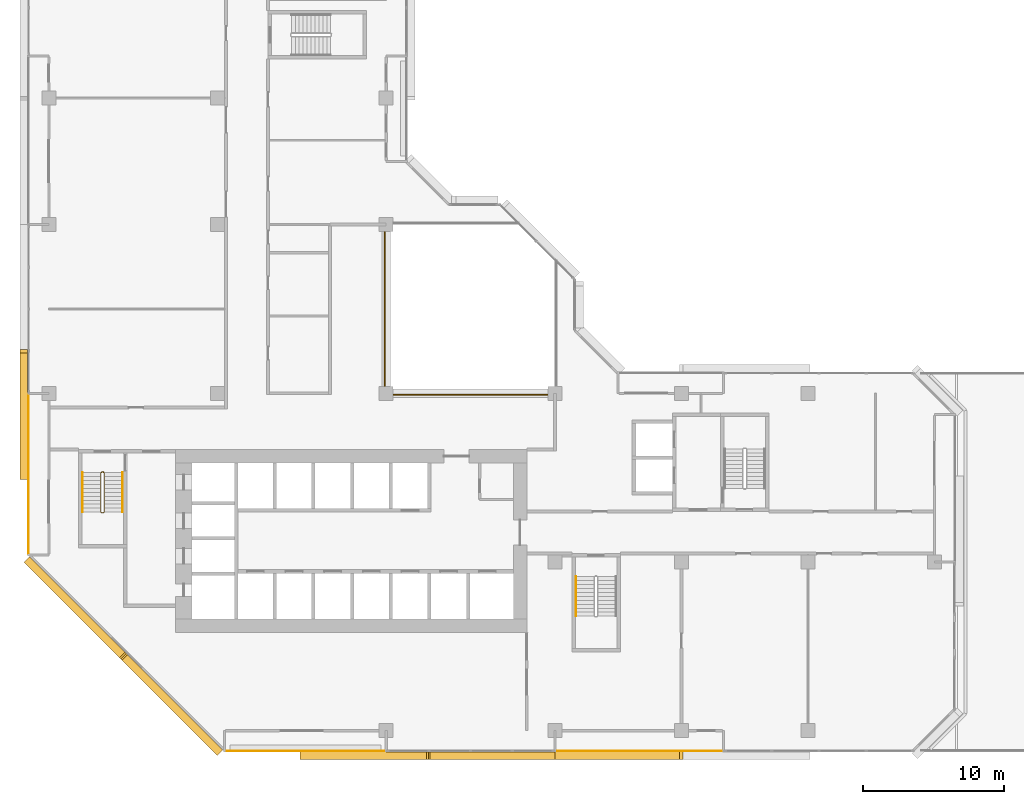
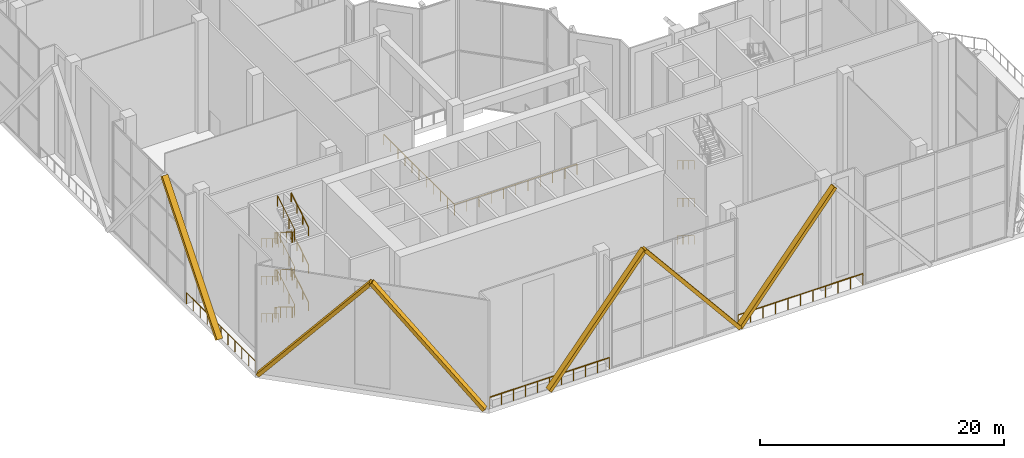
# One storey, part 18 of 21: 14 railings, 6 coverings.
"""IFC4 building model written with IfcOpenShell, lengths in metres."""

from ifc_helpers import new_model, si_unit, direction, frame, origin, origin_2d, place, context, subcontext, project, spatial, rectangle, extrude, material, material_profile, profile_set, type_object, element, save


model = new_model("IFC4")

# Units and contexts
model_context = context("Model", 3, precision=1e-05, world=origin(), true_north=direction((0.0, 1.0)))
body_context = subcontext(model_context, "Body", "Model", "MODEL_VIEW")
ifc_project = project(units=[si_unit("LENGTHUNIT", "METRE"), si_unit("AREAUNIT", "SQUARE_METRE"), si_unit("VOLUMEUNIT", "CUBIC_METRE"), si_unit("PLANEANGLEUNIT", "RADIAN"), si_unit("MASSUNIT", "GRAM", prefix="KILO")], contexts=[model_context])

# Site, building, storey
site_placement = place(None, origin())
site = spatial("IfcSite", under=ifc_project, at=site_placement, CompositionType="ELEMENT")
building_placement = place(site_placement, origin())
building = spatial("IfcBuilding", under=site, at=building_placement, Name="Chenar Terraces", CompositionType="ELEMENT")
storey_placement = place(building_placement, frame((0.0, 0.0, 146.14990234375)))
storey = spatial("IfcBuildingStorey", under=building, at=storey_placement, Name="L34", CompositionType="ELEMENT", Elevation=146.14990234375)

# Railings
ifc_material_1 = material(Name="Powder-coated steel", Category="steel")
railing_type_1 = type_object("IfcRailingType", Name="Guard 1100 steel rail with glass infill", PredefinedType="GUARDRAIL", material=ifc_material_1)
railing_1_placement = place(storey_placement, frame((23.89990234375, 35.5, 0.0)))
element("IfcRailing", 1, at=railing_1_placement, inside=storey, type_object=railing_type_1, Name="Guard L34-1", PredefinedType="GUARDRAIL", context=body_context, shape_type="SweptSolid", body=[
    extrude(rectangle(XDim=0.06005859375, YDim=0.06005859375, at=origin_2d()), frame((0.0, 0.0, 1.070068359375), z_axis=(0.0, -1.0, 0.0), x_axis=(1.0, 0.0, 0.0)), (0.0, 0.0, 1.0), 11.60009765625),
    extrude(rectangle(XDim=0.06005859375, YDim=0.06005859375, at=origin_2d()), frame((0.0, -11.60009765625, 1.070068359375), z_axis=(1.0, 0.0, 0.0), x_axis=(0.0, 1.0, 0.0)), (0.0, 0.0, 1.0), 11.60009765625),
    extrude(rectangle(XDim=0.050048828125, YDim=0.050048828125, at=origin_2d()), origin(), (0.0, 0.0, 1.0), 1.0400390625),
    extrude(rectangle(XDim=0.050048828125, YDim=0.050048828125, at=origin_2d()), frame((0.0, -1.159912109375, 0.0)), (0.0, 0.0, 1.0), 1.0400390625),
    extrude(rectangle(XDim=0.050048828125, YDim=0.050048828125, at=origin_2d()), frame((0.0, -2.320068359375, 0.0)), (0.0, 0.0, 1.0), 1.0400390625),
    extrude(rectangle(XDim=0.050048828125, YDim=0.050048828125, at=origin_2d()), frame((0.0, -3.47998046875, 0.0)), (0.0, 0.0, 1.0), 1.0400390625),
    extrude(rectangle(XDim=0.050048828125, YDim=0.050048828125, at=origin_2d()), frame((0.0, -4.64013671875, 0.0)), (0.0, 0.0, 1.0), 1.0400390625),
    extrude(rectangle(XDim=0.050048828125, YDim=0.050048828125, at=origin_2d()), frame((0.0, -5.800048828125, 0.0)), (0.0, 0.0, 1.0), 1.0400390625),
    extrude(rectangle(XDim=0.050048828125, YDim=0.050048828125, at=origin_2d()), frame((0.0, -6.9599609375, 0.0)), (0.0, 0.0, 1.0), 1.0400390625),
    extrude(rectangle(XDim=0.050048828125, YDim=0.050048828125, at=origin_2d()), frame((0.0, -8.1201171875, 0.0)), (0.0, 0.0, 1.0), 1.0400390625),
    extrude(rectangle(XDim=0.050048828125, YDim=0.050048828125, at=origin_2d()), frame((0.0, -9.280029296875, 0.0)), (0.0, 0.0, 1.0), 1.0400390625),
    extrude(rectangle(XDim=0.050048828125, YDim=0.050048828125, at=origin_2d()), frame((0.0, -10.440185546875, 0.0)), (0.0, 0.0, 1.0), 1.0400390625),
    extrude(rectangle(XDim=0.050048828125, YDim=0.050048828125, at=origin_2d()), frame((0.0, -11.60009765625, 0.0)), (0.0, 0.0, 1.0), 1.0400390625),
    extrude(rectangle(XDim=0.050048828125, YDim=0.050048828125, at=origin_2d()), frame((1.159912109375, -11.60009765625, 0.0)), (0.0, 0.0, 1.0), 1.0400390625),
    extrude(rectangle(XDim=0.050048828125, YDim=0.050048828125, at=origin_2d()), frame((2.320068359375, -11.60009765625, 0.0)), (0.0, 0.0, 1.0), 1.0400390625),
    extrude(rectangle(XDim=0.050048828125, YDim=0.050048828125, at=origin_2d()), frame((3.47998046875, -11.60009765625, 0.0)), (0.0, 0.0, 1.0), 1.0400390625),
    extrude(rectangle(XDim=0.050048828125, YDim=0.050048828125, at=origin_2d()), frame((4.64013671875, -11.60009765625, 0.0)), (0.0, 0.0, 1.0), 1.0400390625),
    extrude(rectangle(XDim=0.050048828125, YDim=0.050048828125, at=origin_2d()), frame((5.800048828125, -11.60009765625, 0.0)), (0.0, 0.0, 1.0), 1.0400390625),
    extrude(rectangle(XDim=0.050048828125, YDim=0.050048828125, at=origin_2d()), frame((6.9599609375, -11.60009765625, 0.0)), (0.0, 0.0, 1.0), 1.0400390625),
    extrude(rectangle(XDim=0.050048828125, YDim=0.050048828125, at=origin_2d()), frame((8.1201171875, -11.60009765625, 0.0)), (0.0, 0.0, 1.0), 1.0400390625),
    extrude(rectangle(XDim=0.050048828125, YDim=0.050048828125, at=origin_2d()), frame((9.280029296875, -11.60009765625, 0.0)), (0.0, 0.0, 1.0), 1.0400390625),
    extrude(rectangle(XDim=0.050048828125, YDim=0.050048828125, at=origin_2d()), frame((10.440185546875, -11.60009765625, 0.0)), (0.0, 0.0, 1.0), 1.0400390625),
    extrude(rectangle(XDim=0.050048828125, YDim=0.050048828125, at=origin_2d()), frame((11.60009765625, -11.60009765625, 0.0)), (0.0, 0.0, 1.0), 1.0400390625),
])
ifc_material_2 = material(Name="Stainless steel and glass", Category="steel")
railing_type_2 = type_object("IfcRailingType", Name="Loggia guard 1150", PredefinedType="GUARDRAIL", material=ifc_material_2)
railing_2_placement = place(storey_placement, frame((12.574951171875, -1.449951171875, 0.0)))
element("IfcRailing", 2, at=railing_2_placement, inside=storey, type_object=railing_type_2, Name="Loggia guard", PredefinedType="GUARDRAIL", context=body_context, shape_type="SweptSolid", body=[
    extrude(rectangle(XDim=0.048095703125, YDim=0.048095703125, at=origin_2d()), frame((0.0, 0.0, 1.1259765625), z_axis=(1.0, 0.0, 0.0), x_axis=(0.0, 1.0, 0.0)), (0.0, 0.0, 1.0), 11.35009765625),
    extrude(rectangle(XDim=0.0419921875, YDim=0.0419921875, at=origin_2d()), origin(), (0.0, 0.0, 1.0), 1.101806640625),
    extrude(rectangle(XDim=0.0419921875, YDim=0.0419921875, at=origin_2d()), frame((1.135009765625, 0.0, 0.0)), (0.0, 0.0, 1.0), 1.101806640625),
    extrude(rectangle(XDim=0.0419921875, YDim=0.0419921875, at=origin_2d()), frame((2.27001953125, 0.0, 0.0)), (0.0, 0.0, 1.0), 1.101806640625),
    extrude(rectangle(XDim=0.0419921875, YDim=0.0419921875, at=origin_2d()), frame((3.405029296875, 0.0, 0.0)), (0.0, 0.0, 1.0), 1.101806640625),
    extrude(rectangle(XDim=0.0419921875, YDim=0.0419921875, at=origin_2d()), frame((4.5400390625, 0.0, 0.0)), (0.0, 0.0, 1.0), 1.101806640625),
    extrude(rectangle(XDim=0.0419921875, YDim=0.0419921875, at=origin_2d()), frame((5.675048828125, 0.0, 0.0)), (0.0, 0.0, 1.0), 1.101806640625),
    extrude(rectangle(XDim=0.0419921875, YDim=0.0419921875, at=origin_2d()), frame((6.81005859375, 0.0, 0.0)), (0.0, 0.0, 1.0), 1.101806640625),
    extrude(rectangle(XDim=0.0419921875, YDim=0.0419921875, at=origin_2d()), frame((7.945068359375, 0.0, 0.0)), (0.0, 0.0, 1.0), 1.101806640625),
    extrude(rectangle(XDim=0.0419921875, YDim=0.0419921875, at=origin_2d()), frame((9.080078125, 0.0, 0.0)), (0.0, 0.0, 1.0), 1.101806640625),
    extrude(rectangle(XDim=0.0419921875, YDim=0.0419921875, at=origin_2d()), frame((10.215087890625, 0.0, 0.0)), (0.0, 0.0, 1.0), 1.101806640625),
    extrude(rectangle(XDim=0.0419921875, YDim=0.0419921875, at=origin_2d()), frame((11.35009765625, 0.0, 0.0)), (0.0, 0.0, 1.0), 1.101806640625),
])
railing_3_placement = place(storey_placement, frame((36.074951171875, -1.449951171875, 0.0)))
element("IfcRailing", 3, at=railing_3_placement, inside=storey, type_object=railing_type_2, Name="Loggia guard", PredefinedType="GUARDRAIL", context=body_context, shape_type="SweptSolid", body=[
    extrude(rectangle(XDim=0.048095703125, YDim=0.048095703125, at=origin_2d()), frame((0.0, 0.0, 1.1259765625), z_axis=(1.0, 0.0, 0.0), x_axis=(0.0, 1.0, 0.0)), (0.0, 0.0, 1.0), 11.85009765625),
    extrude(rectangle(XDim=0.0419921875, YDim=0.0419921875, at=origin_2d()), origin(), (0.0, 0.0, 1.0), 1.101806640625),
    extrude(rectangle(XDim=0.0419921875, YDim=0.0419921875, at=origin_2d()), frame((1.18505859375, 0.0, 0.0)), (0.0, 0.0, 1.0), 1.101806640625),
    extrude(rectangle(XDim=0.0419921875, YDim=0.0419921875, at=origin_2d()), frame((2.3701171875, 0.0, 0.0)), (0.0, 0.0, 1.0), 1.101806640625),
    extrude(rectangle(XDim=0.0419921875, YDim=0.0419921875, at=origin_2d()), frame((3.554931640625, 0.0, 0.0)), (0.0, 0.0, 1.0), 1.101806640625),
    extrude(rectangle(XDim=0.0419921875, YDim=0.0419921875, at=origin_2d()), frame((4.739990234375, 0.0, 0.0)), (0.0, 0.0, 1.0), 1.101806640625),
    extrude(rectangle(XDim=0.0419921875, YDim=0.0419921875, at=origin_2d()), frame((5.925048828125, 0.0, 0.0)), (0.0, 0.0, 1.0), 1.101806640625),
    extrude(rectangle(XDim=0.0419921875, YDim=0.0419921875, at=origin_2d()), frame((7.110107421875, 0.0, 0.0)), (0.0, 0.0, 1.0), 1.101806640625),
    extrude(rectangle(XDim=0.0419921875, YDim=0.0419921875, at=origin_2d()), frame((8.295166015625, 0.0, 0.0)), (0.0, 0.0, 1.0), 1.101806640625),
    extrude(rectangle(XDim=0.0419921875, YDim=0.0419921875, at=origin_2d()), frame((9.47998046875, 0.0, 0.0)), (0.0, 0.0, 1.0), 1.101806640625),
    extrude(rectangle(XDim=0.0419921875, YDim=0.0419921875, at=origin_2d()), frame((10.6650390625, 0.0, 0.0)), (0.0, 0.0, 1.0), 1.101806640625),
    extrude(rectangle(XDim=0.0419921875, YDim=0.0419921875, at=origin_2d()), frame((11.85009765625, 0.0, 0.0)), (0.0, 0.0, 1.0), 1.101806640625),
])
railing_4_placement = place(storey_placement, frame((-1.449951171875, 23.925048828125, 0.0)))
element("IfcRailing", 4, at=railing_4_placement, inside=storey, type_object=railing_type_2, Name="Loggia guard", PredefinedType="GUARDRAIL", context=body_context, shape_type="SweptSolid", body=[
    extrude(rectangle(XDim=0.048095703125, YDim=0.048095703125, at=origin_2d()), frame((0.0, 0.0, 1.1259765625), z_axis=(0.0, -1.0, 0.0), x_axis=(1.0, 0.0, 0.0)), (0.0, 0.0, 1.0), 11.35009765625),
    extrude(rectangle(XDim=0.0419921875, YDim=0.0419921875, at=origin_2d()), origin(), (0.0, 0.0, 1.0), 1.101806640625),
    extrude(rectangle(XDim=0.0419921875, YDim=0.0419921875, at=origin_2d()), frame((0.0, -1.135009765625, 0.0)), (0.0, 0.0, 1.0), 1.101806640625),
    extrude(rectangle(XDim=0.0419921875, YDim=0.0419921875, at=origin_2d()), frame((0.0, -2.27001953125, 0.0)), (0.0, 0.0, 1.0), 1.101806640625),
    extrude(rectangle(XDim=0.0419921875, YDim=0.0419921875, at=origin_2d()), frame((0.0, -3.405029296875, 0.0)), (0.0, 0.0, 1.0), 1.101806640625),
    extrude(rectangle(XDim=0.0419921875, YDim=0.0419921875, at=origin_2d()), frame((0.0, -4.5400390625, 0.0)), (0.0, 0.0, 1.0), 1.101806640625),
    extrude(rectangle(XDim=0.0419921875, YDim=0.0419921875, at=origin_2d()), frame((0.0, -5.675048828125, 0.0)), (0.0, 0.0, 1.0), 1.101806640625),
    extrude(rectangle(XDim=0.0419921875, YDim=0.0419921875, at=origin_2d()), frame((0.0, -6.81005859375, 0.0)), (0.0, 0.0, 1.0), 1.101806640625),
    extrude(rectangle(XDim=0.0419921875, YDim=0.0419921875, at=origin_2d()), frame((0.0, -7.945068359375, 0.0)), (0.0, 0.0, 1.0), 1.101806640625),
    extrude(rectangle(XDim=0.0419921875, YDim=0.0419921875, at=origin_2d()), frame((0.0, -9.080078125, 0.0)), (0.0, 0.0, 1.0), 1.101806640625),
    extrude(rectangle(XDim=0.0419921875, YDim=0.0419921875, at=origin_2d()), frame((0.0, -10.215087890625, 0.0)), (0.0, 0.0, 1.0), 1.101806640625),
    extrude(rectangle(XDim=0.0419921875, YDim=0.0419921875, at=origin_2d()), frame((0.0, -11.35009765625, 0.0)), (0.0, 0.0, 1.0), 1.101806640625),
])
ifc_material_3 = material(Name="Powder-coated steel", Category="steel")
railing_type_3 = type_object("IfcRailingType", Name="Stair guard 1100", PredefinedType="GUARDRAIL", material=ifc_material_3)
railing_5_placement = place(storey_placement, frame((3.949951171875, 18.35009765625, 11.25)))
element("IfcRailing", 5, at=railing_5_placement, inside=storey, type_object=railing_type_3, Name="L34 ST1 stair guard 1", PredefinedType="GUARDRAIL", context=body_context, shape_type="SweptSolid", body=[
    extrude(rectangle(XDim=0.048095703125, YDim=0.048095703125, at=origin_2d()), frame((0.0, 0.0, 1.076171875), z_axis=(0.0, -0.854202870247, -0.519939858505), x_axis=(1.0, 0.0, 0.0)), (0.0, 0.0, 1.0), 3.278076171875),
    extrude(rectangle(XDim=0.048095703125, YDim=0.048095703125, at=origin_2d()), frame((0.0, -2.800048828125, -0.62841796875), z_axis=(-0.270899902878, -0.270899902878, -0.923702595667), x_axis=(0.707106781187, -0.707106781187, 0.0)), (0.0, 0.0, 1.0), 0.184814453125),
    extrude(rectangle(XDim=0.048095703125, YDim=0.048095703125, at=origin_2d()), frame((-0.050048828125, -2.85009765625, -0.798828125), z_axis=(-1.0, 0.0, 0.0), x_axis=(0.0, -1.0, 0.0)), (0.0, 0.0, 1.0), 0.14990234375),
    extrude(rectangle(XDim=0.048095703125, YDim=0.048095703125, at=origin_2d()), frame((-0.199951171875, -2.85009765625, -0.798828125), z_axis=(-0.707106781187, 0.707106781187, 0.0), x_axis=(-0.707106781187, -0.707106781187, 0.0)), (0.0, 0.0, 1.0), 0.07080078125),
    extrude(rectangle(XDim=0.048095703125, YDim=0.048095703125, at=origin_2d()), frame((-0.25, -2.800048828125, -0.798828125), z_axis=(0.0, 0.854202870247, -0.519939858505), x_axis=(-1.0, 0.0, 0.0)), (0.0, 0.0, 1.0), 3.278076171875),
    extrude(rectangle(XDim=0.048095703125, YDim=0.048095703125, at=origin_2d()), frame((-0.25, 0.0, -2.50341796875), z_axis=(0.747336813268, 0.186149828946, -0.637836913888), x_axis=(-0.241699205484, 0.970351222016, 0.0)), (0.0, 0.0, 1.0), 0.267578125),
    extrude(rectangle(XDim=0.048095703125, YDim=0.048095703125, at=origin_2d()), frame((-0.050048828125, 0.0498046875, -2.673828125), z_axis=(-1.0, 0.0, 0.0), x_axis=(0.0, -1.0, 0.0)), (0.0, 0.0, 1.0), 0.14990234375),
    extrude(rectangle(XDim=0.048095703125, YDim=0.048095703125, at=origin_2d()), frame((-0.199951171875, 0.0498046875, -2.673828125), z_axis=(0.970351222016, -0.241699205484, 0.0), x_axis=(0.241699205484, 0.970351222016, 0.0)), (0.0, 0.0, 1.0), 0.2060546875),
    extrude(rectangle(XDim=0.048095703125, YDim=0.048095703125, at=origin_2d()), frame((0.0, 0.0, -2.673828125), z_axis=(0.0, -0.854202870247, -0.519939858505), x_axis=(1.0, 0.0, 0.0)), (0.0, 0.0, 1.0), 3.278076171875),
    extrude(rectangle(XDim=0.048095703125, YDim=0.048095703125, at=origin_2d()), frame((0.0, -2.800048828125, -4.37841796875), z_axis=(-0.270899902878, -0.270899902878, -0.923702595667), x_axis=(0.707106781187, -0.707106781187, 0.0)), (0.0, 0.0, 1.0), 0.184814453125),
    extrude(rectangle(XDim=0.048095703125, YDim=0.048095703125, at=origin_2d()), frame((-0.050048828125, -2.85009765625, -4.548828125), z_axis=(-1.0, 0.0, 0.0), x_axis=(0.0, -1.0, 0.0)), (0.0, 0.0, 1.0), 0.14990234375),
    extrude(rectangle(XDim=0.048095703125, YDim=0.048095703125, at=origin_2d()), frame((-0.199951171875, -2.85009765625, -4.548828125), z_axis=(-0.707106781187, 0.707106781187, 0.0), x_axis=(-0.707106781187, -0.707106781187, 0.0)), (0.0, 0.0, 1.0), 0.07080078125),
    extrude(rectangle(XDim=0.048095703125, YDim=0.048095703125, at=origin_2d()), frame((-0.25, -2.800048828125, -4.548828125), z_axis=(0.0, 0.854202870247, -0.519939858505), x_axis=(-1.0, 0.0, 0.0)), (0.0, 0.0, 1.0), 3.278076171875),
    extrude(rectangle(XDim=0.048095703125, YDim=0.048095703125, at=origin_2d()), frame((-0.25, 0.0, -6.25341796875), z_axis=(0.747336813268, 0.186149828946, -0.637836913888), x_axis=(-0.241699205484, 0.970351222016, 0.0)), (0.0, 0.0, 1.0), 0.267578125),
    extrude(rectangle(XDim=0.048095703125, YDim=0.048095703125, at=origin_2d()), frame((-0.050048828125, 0.0498046875, -6.423828125), z_axis=(-1.0, 0.0, 0.0), x_axis=(0.0, -1.0, 0.0)), (0.0, 0.0, 1.0), 0.14990234375),
    extrude(rectangle(XDim=0.048095703125, YDim=0.048095703125, at=origin_2d()), frame((-0.199951171875, 0.0498046875, -6.423828125), z_axis=(0.970351222016, -0.241699205484, 0.0), x_axis=(0.241699205484, 0.970351222016, 0.0)), (0.0, 0.0, 1.0), 0.2060546875),
    extrude(rectangle(XDim=0.048095703125, YDim=0.048095703125, at=origin_2d()), frame((0.0, 0.0, -6.423828125), z_axis=(0.0, -0.854202870247, -0.519939858505), x_axis=(1.0, 0.0, 0.0)), (0.0, 0.0, 1.0), 3.278076171875),
    extrude(rectangle(XDim=0.048095703125, YDim=0.048095703125, at=origin_2d()), frame((0.0, -2.800048828125, -8.12841796875), z_axis=(-0.270899902878, -0.270899902878, -0.923702595667), x_axis=(0.707106781187, -0.707106781187, 0.0)), (0.0, 0.0, 1.0), 0.184814453125),
    extrude(rectangle(XDim=0.048095703125, YDim=0.048095703125, at=origin_2d()), frame((-0.050048828125, -2.85009765625, -8.298828125), z_axis=(-1.0, 0.0, 0.0), x_axis=(0.0, -1.0, 0.0)), (0.0, 0.0, 1.0), 0.14990234375),
    extrude(rectangle(XDim=0.048095703125, YDim=0.048095703125, at=origin_2d()), frame((-0.199951171875, -2.85009765625, -8.298828125), z_axis=(-0.707106781187, 0.707106781187, 0.0), x_axis=(-0.707106781187, -0.707106781187, 0.0)), (0.0, 0.0, 1.0), 0.07080078125),
    extrude(rectangle(XDim=0.048095703125, YDim=0.048095703125, at=origin_2d()), frame((-0.25, -2.800048828125, -8.298828125), z_axis=(0.0, 0.854202870247, -0.519939858505), x_axis=(-1.0, 0.0, 0.0)), (0.0, 0.0, 1.0), 3.278076171875),
    extrude(rectangle(XDim=0.048095703125, YDim=0.048095703125, at=origin_2d()), frame((-0.25, 0.0, -10.00341796875), z_axis=(0.270996696079, 0.269674760976, -0.924032636873), x_axis=(-0.705375805398, 0.708833529934, 0.0)), (0.0, 0.0, 1.0), 0.1845703125),
    extrude(rectangle(XDim=0.048095703125, YDim=0.048095703125, at=origin_2d()), frame((-0.199951171875, 0.0498046875, -10.173828125), z_axis=(1.0, 0.0, 0.0), x_axis=(0.0, 1.0, 0.0)), (0.0, 0.0, 1.0), 0.14990234375),
    extrude(rectangle(XDim=0.0419921875, YDim=0.0419921875, at=origin_2d()), origin(), (0.0, 0.0, 1.0), 1.052001953125),
    extrude(rectangle(XDim=0.0419921875, YDim=0.0419921875, at=origin_2d()), frame((0.0, -0.933349609375, -0.568115234375)), (0.0, 0.0, 1.0), 1.052001953125),
    extrude(rectangle(XDim=0.0419921875, YDim=0.0419921875, at=origin_2d()), frame((0.0, -1.86669921875, -1.13623046875)), (0.0, 0.0, 1.0), 1.052001953125),
    extrude(rectangle(XDim=0.0419921875, YDim=0.0419921875, at=origin_2d()), frame((0.0, -2.800048828125, -1.704345703125)), (0.0, 0.0, 1.0), 1.052001953125),
    extrude(rectangle(XDim=0.0419921875, YDim=0.0419921875, at=origin_2d()), frame((-0.050048828125, -2.85009765625, -1.875)), (0.0, 0.0, 1.0), 1.052001953125),
    extrude(rectangle(XDim=0.0419921875, YDim=0.0419921875, at=origin_2d()), frame((-0.199951171875, -2.85009765625, -1.875)), (0.0, 0.0, 1.0), 1.052001953125),
    extrude(rectangle(XDim=0.0419921875, YDim=0.0419921875, at=origin_2d()), frame((-0.25, -2.800048828125, -1.875)), (0.0, 0.0, 1.0), 1.052001953125),
    extrude(rectangle(XDim=0.0419921875, YDim=0.0419921875, at=origin_2d()), frame((-0.25, -1.86669921875, -2.443115234375)), (0.0, 0.0, 1.0), 1.052001953125),
    extrude(rectangle(XDim=0.0419921875, YDim=0.0419921875, at=origin_2d()), frame((-0.25, -0.933349609375, -3.01123046875)), (0.0, 0.0, 1.0), 1.052001953125),
    extrude(rectangle(XDim=0.0419921875, YDim=0.0419921875, at=origin_2d()), frame((-0.25, 0.0, -3.579345703125)), (0.0, 0.0, 1.0), 1.052001953125),
    extrude(rectangle(XDim=0.0419921875, YDim=0.0419921875, at=origin_2d()), frame((-0.050048828125, 0.0498046875, -3.75)), (0.0, 0.0, 1.0), 1.052001953125),
    extrude(rectangle(XDim=0.0419921875, YDim=0.0419921875, at=origin_2d()), frame((-0.199951171875, 0.0498046875, -3.75)), (0.0, 0.0, 1.0), 1.052001953125),
    extrude(rectangle(XDim=0.0419921875, YDim=0.0419921875, at=origin_2d()), frame((0.0, 0.0, -3.75)), (0.0, 0.0, 1.0), 1.052001953125),
    extrude(rectangle(XDim=0.0419921875, YDim=0.0419921875, at=origin_2d()), frame((0.0, -0.933349609375, -4.318115234375)), (0.0, 0.0, 1.0), 1.052001953125),
    extrude(rectangle(XDim=0.0419921875, YDim=0.0419921875, at=origin_2d()), frame((0.0, -1.86669921875, -4.88623046875)), (0.0, 0.0, 1.0), 1.052001953125),
    extrude(rectangle(XDim=0.0419921875, YDim=0.0419921875, at=origin_2d()), frame((0.0, -2.800048828125, -5.454345703125)), (0.0, 0.0, 1.0), 1.052001953125),
    extrude(rectangle(XDim=0.0419921875, YDim=0.0419921875, at=origin_2d()), frame((-0.050048828125, -2.85009765625, -5.625)), (0.0, 0.0, 1.0), 1.052001953125),
    extrude(rectangle(XDim=0.0419921875, YDim=0.0419921875, at=origin_2d()), frame((-0.199951171875, -2.85009765625, -5.625)), (0.0, 0.0, 1.0), 1.052001953125),
    extrude(rectangle(XDim=0.0419921875, YDim=0.0419921875, at=origin_2d()), frame((-0.25, -2.800048828125, -5.625)), (0.0, 0.0, 1.0), 1.052001953125),
    extrude(rectangle(XDim=0.0419921875, YDim=0.0419921875, at=origin_2d()), frame((-0.25, -1.86669921875, -6.193115234375)), (0.0, 0.0, 1.0), 1.052001953125),
    extrude(rectangle(XDim=0.0419921875, YDim=0.0419921875, at=origin_2d()), frame((-0.25, -0.933349609375, -6.76123046875)), (0.0, 0.0, 1.0), 1.052001953125),
    extrude(rectangle(XDim=0.0419921875, YDim=0.0419921875, at=origin_2d()), frame((-0.25, 0.0, -7.329345703125)), (0.0, 0.0, 1.0), 1.052001953125),
    extrude(rectangle(XDim=0.0419921875, YDim=0.0419921875, at=origin_2d()), frame((-0.050048828125, 0.0498046875, -7.5)), (0.0, 0.0, 1.0), 1.052001953125),
    extrude(rectangle(XDim=0.0419921875, YDim=0.0419921875, at=origin_2d()), frame((-0.199951171875, 0.0498046875, -7.5)), (0.0, 0.0, 1.0), 1.052001953125),
    extrude(rectangle(XDim=0.0419921875, YDim=0.0419921875, at=origin_2d()), frame((0.0, 0.0, -7.5)), (0.0, 0.0, 1.0), 1.052001953125),
    extrude(rectangle(XDim=0.0419921875, YDim=0.0419921875, at=origin_2d()), frame((0.0, -0.933349609375, -8.068115234375)), (0.0, 0.0, 1.0), 1.052001953125),
    extrude(rectangle(XDim=0.0419921875, YDim=0.0419921875, at=origin_2d()), frame((0.0, -1.86669921875, -8.63623046875)), (0.0, 0.0, 1.0), 1.052001953125),
    extrude(rectangle(XDim=0.0419921875, YDim=0.0419921875, at=origin_2d()), frame((0.0, -2.800048828125, -9.204345703125)), (0.0, 0.0, 1.0), 1.052001953125),
    extrude(rectangle(XDim=0.0419921875, YDim=0.0419921875, at=origin_2d()), frame((-0.050048828125, -2.85009765625, -9.375)), (0.0, 0.0, 1.0), 1.052001953125),
    extrude(rectangle(XDim=0.0419921875, YDim=0.0419921875, at=origin_2d()), frame((-0.199951171875, -2.85009765625, -9.375)), (0.0, 0.0, 1.0), 1.052001953125),
    extrude(rectangle(XDim=0.0419921875, YDim=0.0419921875, at=origin_2d()), frame((-0.25, -2.800048828125, -9.375)), (0.0, 0.0, 1.0), 1.052001953125),
    extrude(rectangle(XDim=0.0419921875, YDim=0.0419921875, at=origin_2d()), frame((-0.25, -1.86669921875, -9.943115234375)), (0.0, 0.0, 1.0), 1.052001953125),
    extrude(rectangle(XDim=0.0419921875, YDim=0.0419921875, at=origin_2d()), frame((-0.25, -0.933349609375, -10.51123046875)), (0.0, 0.0, 1.0), 1.052001953125),
    extrude(rectangle(XDim=0.0419921875, YDim=0.0419921875, at=origin_2d()), frame((-0.25, 0.0, -11.079345703125)), (0.0, 0.0, 1.0), 1.052001953125),
    extrude(rectangle(XDim=0.0419921875, YDim=0.0419921875, at=origin_2d()), frame((-0.199951171875, 0.0498046875, -11.25)), (0.0, 0.0, 1.0), 1.052001953125),
    extrude(rectangle(XDim=0.0419921875, YDim=0.0419921875, at=origin_2d()), frame((-0.050048828125, 0.0498046875, -11.25)), (0.0, 0.0, 1.0), 1.052001953125),
])
ifc_material_4 = material(Name="Powder-coated steel", Category="steel")
railing_type_4 = type_object("IfcRailingType", Name="Stair handrail 900", PredefinedType="HANDRAIL", material=ifc_material_4)
railing_6_placement = place(storey_placement, frame((2.39990234375, 18.35009765625, 0.170654296875)))
element("IfcRailing", 6, at=railing_6_placement, inside=storey, type_object=railing_type_4, Name="L34 ST1 stair handrail 1", PredefinedType="HANDRAIL", context=body_context, shape_type="SweptSolid", body=[
    extrude(rectangle(XDim=0.048095703125, YDim=0.048095703125, at=origin_2d()), frame((0.0, 0.0, 0.8759765625), z_axis=(0.0, -0.854202870247, 0.519939858505), x_axis=(1.0, 0.0, 0.0)), (0.0, 0.0, 1.0), 3.278076171875),
    extrude(rectangle(XDim=0.0419921875, YDim=0.0419921875, at=origin_2d()), origin(), (0.0, 0.0, 1.0), 0.851806640625),
    extrude(rectangle(XDim=0.0419921875, YDim=0.0419921875, at=origin_2d()), frame((0.0, -0.933349609375, 0.568115234375)), (0.0, 0.0, 1.0), 0.851806640625),
    extrude(rectangle(XDim=0.0419921875, YDim=0.0419921875, at=origin_2d()), frame((0.0, -1.86669921875, 1.13623046875)), (0.0, 0.0, 1.0), 0.851806640625),
    extrude(rectangle(XDim=0.0419921875, YDim=0.0419921875, at=origin_2d()), frame((0.0, -2.800048828125, 1.704345703125)), (0.0, 0.0, 1.0), 0.851806640625),
])
railing_7_placement = place(storey_placement, frame((5.25, 15.550048828125, 2.045654296875)))
element("IfcRailing", 7, at=railing_7_placement, inside=storey, type_object=railing_type_4, Name="L34 ST1 stair handrail 2", PredefinedType="HANDRAIL", context=body_context, shape_type="SweptSolid", body=[
    extrude(rectangle(XDim=0.048095703125, YDim=0.048095703125, at=origin_2d()), frame((0.0, 0.0, 0.8759765625), z_axis=(0.0, 0.854202870247, 0.519939858505), x_axis=(-1.0, 0.0, 0.0)), (0.0, 0.0, 1.0), 3.278076171875),
    extrude(rectangle(XDim=0.0419921875, YDim=0.0419921875, at=origin_2d()), origin(), (0.0, 0.0, 1.0), 0.851806640625),
    extrude(rectangle(XDim=0.0419921875, YDim=0.0419921875, at=origin_2d()), frame((0.0, 0.933349609375, 0.568115234375)), (0.0, 0.0, 1.0), 0.851806640625),
    extrude(rectangle(XDim=0.0419921875, YDim=0.0419921875, at=origin_2d()), frame((0.0, 1.86669921875, 1.13623046875)), (0.0, 0.0, 1.0), 0.851806640625),
    extrude(rectangle(XDim=0.0419921875, YDim=0.0419921875, at=origin_2d()), frame((0.0, 2.800048828125, 1.704345703125)), (0.0, 0.0, 1.0), 0.851806640625),
])
railing_8_placement = place(storey_placement, frame((2.39990234375, 18.35009765625, 3.920654296875)))
element("IfcRailing", 8, at=railing_8_placement, inside=storey, type_object=railing_type_4, Name="L34 ST1 stair handrail 3", PredefinedType="HANDRAIL", context=body_context, shape_type="SweptSolid", body=[
    extrude(rectangle(XDim=0.048095703125, YDim=0.048095703125, at=origin_2d()), frame((0.0, 0.0, 0.8759765625), z_axis=(0.0, -0.854202870247, 0.519939858505), x_axis=(1.0, 0.0, 0.0)), (0.0, 0.0, 1.0), 3.278076171875),
    extrude(rectangle(XDim=0.0419921875, YDim=0.0419921875, at=origin_2d()), origin(), (0.0, 0.0, 1.0), 0.851806640625),
    extrude(rectangle(XDim=0.0419921875, YDim=0.0419921875, at=origin_2d()), frame((0.0, -0.933349609375, 0.568115234375)), (0.0, 0.0, 1.0), 0.851806640625),
    extrude(rectangle(XDim=0.0419921875, YDim=0.0419921875, at=origin_2d()), frame((0.0, -1.86669921875, 1.13623046875)), (0.0, 0.0, 1.0), 0.851806640625),
    extrude(rectangle(XDim=0.0419921875, YDim=0.0419921875, at=origin_2d()), frame((0.0, -2.800048828125, 1.704345703125)), (0.0, 0.0, 1.0), 0.851806640625),
])
railing_9_placement = place(storey_placement, frame((5.25, 15.550048828125, 5.795654296875)))
element("IfcRailing", 9, at=railing_9_placement, inside=storey, type_object=railing_type_4, Name="L34 ST1 stair handrail 4", PredefinedType="HANDRAIL", context=body_context, shape_type="SweptSolid", body=[
    extrude(rectangle(XDim=0.048095703125, YDim=0.048095703125, at=origin_2d()), frame((0.0, 0.0, 0.8759765625), z_axis=(0.0, 0.854202870247, 0.519939858505), x_axis=(-1.0, 0.0, 0.0)), (0.0, 0.0, 1.0), 3.278076171875),
    extrude(rectangle(XDim=0.0419921875, YDim=0.0419921875, at=origin_2d()), origin(), (0.0, 0.0, 1.0), 0.851806640625),
    extrude(rectangle(XDim=0.0419921875, YDim=0.0419921875, at=origin_2d()), frame((0.0, 0.933349609375, 0.568115234375)), (0.0, 0.0, 1.0), 0.851806640625),
    extrude(rectangle(XDim=0.0419921875, YDim=0.0419921875, at=origin_2d()), frame((0.0, 1.86669921875, 1.13623046875)), (0.0, 0.0, 1.0), 0.851806640625),
    extrude(rectangle(XDim=0.0419921875, YDim=0.0419921875, at=origin_2d()), frame((0.0, 2.800048828125, 1.704345703125)), (0.0, 0.0, 1.0), 0.851806640625),
])
railing_10_placement = place(storey_placement, frame((2.39990234375, 18.35009765625, 7.670654296875)))
element("IfcRailing", 10, at=railing_10_placement, inside=storey, type_object=railing_type_4, Name="L34 ST1 stair handrail 5", PredefinedType="HANDRAIL", context=body_context, shape_type="SweptSolid", body=[
    extrude(rectangle(XDim=0.048095703125, YDim=0.048095703125, at=origin_2d()), frame((0.0, 0.0, 0.8759765625), z_axis=(0.0, -0.854202870247, 0.519939858505), x_axis=(1.0, 0.0, 0.0)), (0.0, 0.0, 1.0), 3.278076171875),
    extrude(rectangle(XDim=0.0419921875, YDim=0.0419921875, at=origin_2d()), origin(), (0.0, 0.0, 1.0), 0.851806640625),
    extrude(rectangle(XDim=0.0419921875, YDim=0.0419921875, at=origin_2d()), frame((0.0, -0.933349609375, 0.568115234375)), (0.0, 0.0, 1.0), 0.851806640625),
    extrude(rectangle(XDim=0.0419921875, YDim=0.0419921875, at=origin_2d()), frame((0.0, -1.86669921875, 1.13623046875)), (0.0, 0.0, 1.0), 0.851806640625),
    extrude(rectangle(XDim=0.0419921875, YDim=0.0419921875, at=origin_2d()), frame((0.0, -2.800048828125, 1.704345703125)), (0.0, 0.0, 1.0), 0.851806640625),
])
railing_11_placement = place(storey_placement, frame((5.25, 15.550048828125, 9.545654296875)))
element("IfcRailing", 11, at=railing_11_placement, inside=storey, type_object=railing_type_4, Name="L34 ST1 stair handrail 6", PredefinedType="HANDRAIL", context=body_context, shape_type="SweptSolid", body=[
    extrude(rectangle(XDim=0.048095703125, YDim=0.048095703125, at=origin_2d()), frame((0.0, 0.0, 0.8759765625), z_axis=(0.0, 0.854202870247, 0.519939858505), x_axis=(-1.0, 0.0, 0.0)), (0.0, 0.0, 1.0), 3.278076171875),
    extrude(rectangle(XDim=0.0419921875, YDim=0.0419921875, at=origin_2d()), origin(), (0.0, 0.0, 1.0), 0.851806640625),
    extrude(rectangle(XDim=0.0419921875, YDim=0.0419921875, at=origin_2d()), frame((0.0, 0.933349609375, 0.568115234375)), (0.0, 0.0, 1.0), 0.851806640625),
    extrude(rectangle(XDim=0.0419921875, YDim=0.0419921875, at=origin_2d()), frame((0.0, 1.86669921875, 1.13623046875)), (0.0, 0.0, 1.0), 0.851806640625),
    extrude(rectangle(XDim=0.0419921875, YDim=0.0419921875, at=origin_2d()), frame((0.0, 2.800048828125, 1.704345703125)), (0.0, 0.0, 1.0), 0.851806640625),
])
for number, where, name in (
    (12, (37.5, 10.949951171875, 0.170654296875), "L34 ST2 stair handrail 1"),
    (13, (37.5, 10.949951171875, 3.920654296875), "L34 ST2 stair handrail 3"),
    (14, (37.5, 10.949951171875, 7.670654296875), "L34 ST2 stair handrail 5"),
):
    element("IfcRailing", number, at=place(storey_placement, frame(where)), inside=storey, type_object=railing_type_4, Name=name, PredefinedType="HANDRAIL", context=body_context, shape_type="SweptSolid", body=[
        extrude(rectangle(XDim=0.048095703125, YDim=0.048095703125, at=origin_2d()), frame((0.0, 0.0, 0.8759765625), z_axis=(0.0, -0.854202870247, 0.519939858505), x_axis=(1.0, 0.0, 0.0)), (0.0, 0.0, 1.0), 3.278076171875),
        extrude(rectangle(XDim=0.0419921875, YDim=0.0419921875, at=origin_2d()), origin(), (0.0, 0.0, 1.0), 0.851806640625),
        extrude(rectangle(XDim=0.0419921875, YDim=0.0419921875, at=origin_2d()), frame((0.0, -0.933349609375, 0.568115234375)), (0.0, 0.0, 1.0), 0.851806640625),
        extrude(rectangle(XDim=0.0419921875, YDim=0.0419921875, at=origin_2d()), frame((0.0, -1.86669921875, 1.13623046875)), (0.0, 0.0, 1.0), 0.851806640625),
        extrude(rectangle(XDim=0.0419921875, YDim=0.0419921875, at=origin_2d()), frame((0.0, -2.800048828125, 1.704345703125)), (0.0, 0.0, 1.0), 0.851806640625),
    ])

# Coverings
ifc_material_5 = material(Name="Terracotta", Category="masonry")
ifc_material_profile = material_profile(ifc_material_5, rectangle(XDim=0.550048828125, YDim=0.330078125, at=origin_2d()), Name="Terracotta baguette 550 x 330")
ifc_profile_set = profile_set([ifc_material_profile], Name="Terracotta")
covering_type = type_object("IfcCoveringType", Name="Terracotta baguette 550 x 330", PredefinedType="CLADDING", material=ifc_profile_set)
covering_1_placement = place(storey_placement, frame((-1.77490234375, 27.0, 11.10009765625), z_axis=(0.0, -0.634966765532, -0.772539453148), x_axis=(1.0, 0.0, 0.0)))
element("IfcCovering", 15, at=covering_1_placement, inside=storey, type_object=covering_type, Name="Terracotta baguette", PredefinedType="CLADDING", context=body_context, shape_type="SweptSolid", body=[
    extrude(rectangle(XDim=0.550048828125, YDim=0.330078125, at=origin_2d()), origin(), (0.0, 0.0, 1.0), 14.174072265625),
])
covering_2_placement = place(storey_placement, frame((-1.482421875, 12.093505859375, 0.150146484375), z_axis=(0.466144278071, -0.466144278071, 0.751943497906), x_axis=(0.707106781187, 0.707106781187, 0.0)))
element("IfcCovering", 16, at=covering_2_placement, inside=storey, type_object=covering_type, Name="Terracotta baguette", PredefinedType="CLADDING", context=body_context, shape_type="SweptSolid", body=[
    extrude(rectangle(XDim=0.550048828125, YDim=0.330078125, at=origin_2d()), origin(), (0.0, 0.0, 1.0), 14.562255859375),
])
covering_3_placement = place(storey_placement, frame((5.3056640625, 5.305419921875, 11.10009765625), z_axis=(0.466134798391, -0.466134798391, -0.751955250967), x_axis=(0.707106781187, 0.707106781187, 0.0)))
element("IfcCovering", 17, at=covering_3_placement, inside=storey, type_object=covering_type, Name="Terracotta baguette", PredefinedType="CLADDING", context=body_context, shape_type="SweptSolid", body=[
    extrude(rectangle(XDim=0.550048828125, YDim=0.330078125, at=origin_2d()), origin(), (0.0, 0.0, 1.0), 14.56201171875),
])
for number, where, z_axis, x_axis, name in (
    (18, (18.0, -1.77490234375, 0.150146484375), (0.634966765532, 0.0, 0.772539453148), (0.0, 1.0, 0.0), "Terracotta baguette"),
    (19, (27.0, -1.77490234375, 11.10009765625), (0.634966765532, 0.0, -0.772539453148), (0.0, 1.0, 0.0), "Terracotta baguette"),
    (20, (36.0, -1.77490234375, 0.150146484375), (0.634966765532, 0.0, 0.772539453148), (0.0, 1.0, 0.0), "Terracotta baguette"),
):
    element("IfcCovering", number, at=place(storey_placement, frame(where, z_axis=z_axis, x_axis=x_axis)), inside=storey, type_object=covering_type, Name=name, PredefinedType="CLADDING", context=body_context, shape_type="SweptSolid", body=[
        extrude(rectangle(XDim=0.550048828125, YDim=0.330078125, at=origin_2d()), origin(), (0.0, 0.0, 1.0), 14.174072265625),
    ])

save(model, "model.ifc")
